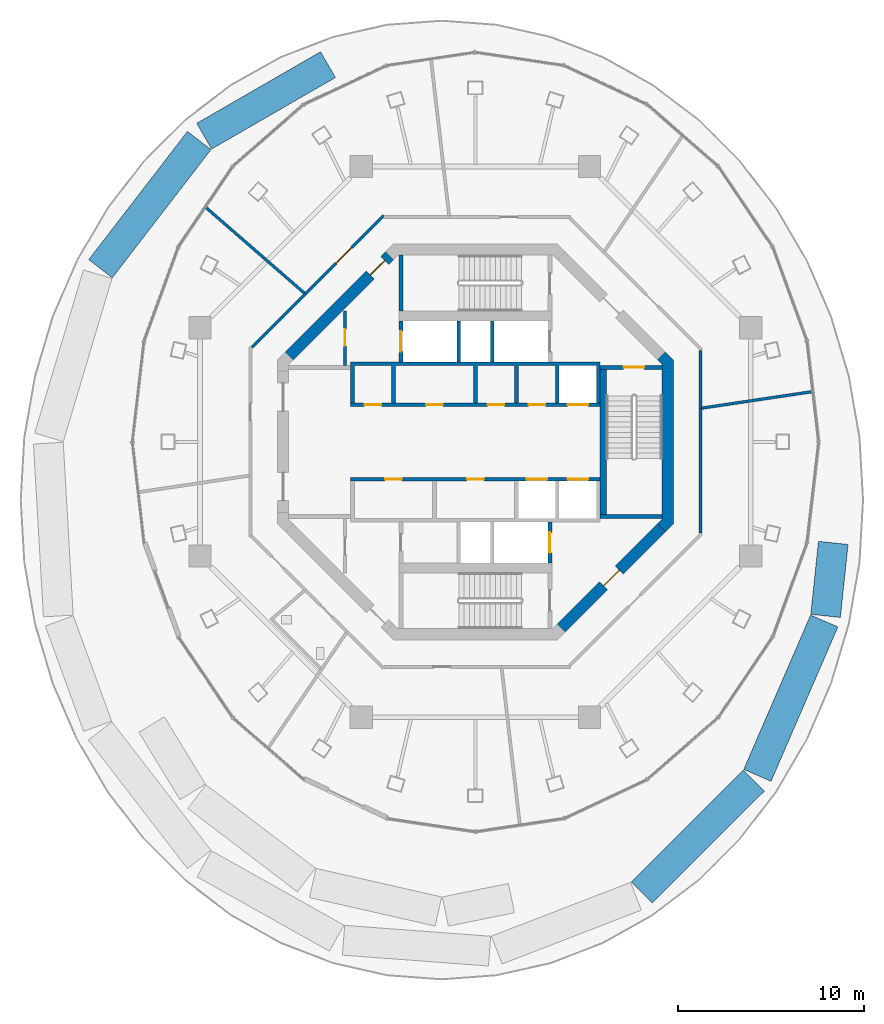
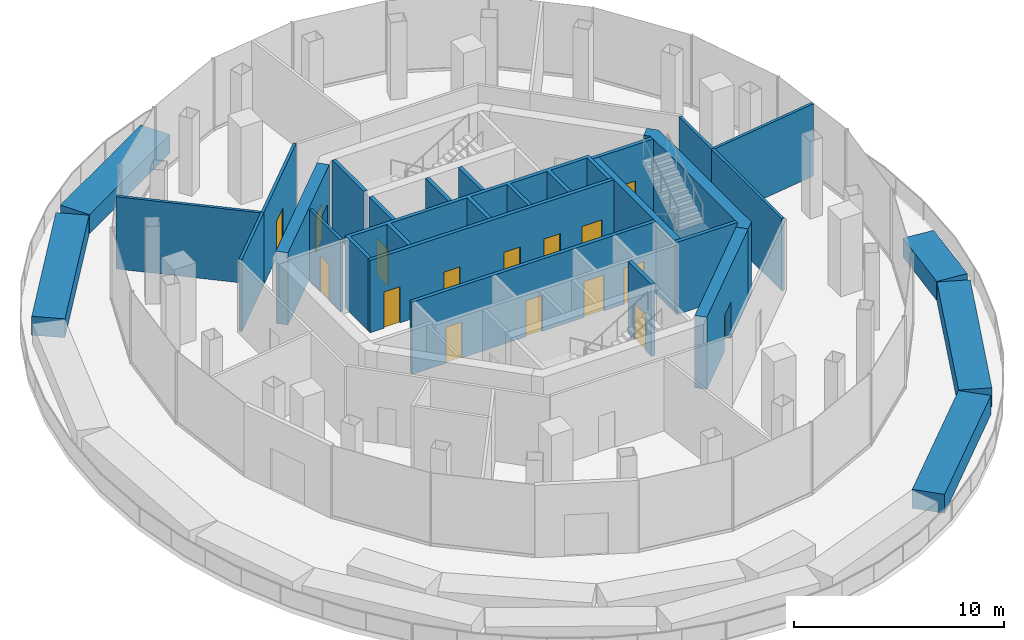
# One storey, part 8 of 12: 26 walls, 16 doors, 16 openings.
"""IFC4 building model written with IfcOpenShell, lengths in metres."""

from ifc_helpers import new_model, si_unit, direction, frame, frame_2d, origin, place, context, subcontext, project, spatial, polyline, rectangle, outline, extrude, material, layer, layer_set, type_object, element, fill, save


model = new_model("IFC4")

# Units and contexts
model_context = context("Model", 3, precision=1e-05, world=origin(), true_north=direction((0.0, 1.0)))
body_context = subcontext(model_context, "Body", "Model", "MODEL_VIEW")
ifc_project = project(units=[si_unit("LENGTHUNIT", "METRE"), si_unit("AREAUNIT", "SQUARE_METRE"), si_unit("VOLUMEUNIT", "CUBIC_METRE"), si_unit("PLANEANGLEUNIT", "RADIAN"), si_unit("MASSUNIT", "GRAM", prefix="KILO")], contexts=[model_context])

# Site, building, storey
site_placement = place(None, origin())
site = spatial("IfcSite", under=ifc_project, at=site_placement, CompositionType="ELEMENT")
building_placement = place(site_placement, origin())
building = spatial("IfcBuilding", under=site, at=building_placement, Name="Nagisa Residences", CompositionType="ELEMENT")
storey_placement = place(building_placement, frame((0.0, 0.0, 315.89990234375)))
storey = spatial("IfcBuildingStorey", under=building, at=storey_placement, Name="L78", CompositionType="ELEMENT", Elevation=315.89990234375)

# Wall, opening, door
ifc_material_1 = material(Name="Gypsum board on steel studs", Category="steel")
ifc_layer_1 = layer(ifc_material_1, 0.14990234375)
ifc_layer_set_1 = layer_set([ifc_layer_1], Name="Core partition 150")
wall_type_1 = type_object("IfcWallType", Name="Core partition 150", PredefinedType="PARTITIONING", material=ifc_layer_set_1)
wall_1_placement = place(storey_placement, frame((-7.0, 4.10009765625, 0.0), z_axis=(0.0, 0.0, 1.0), x_axis=(0.0, 1.0, 0.0)))
wall_1 = element("IfcWall", 1, at=wall_1_placement, inside=storey, type_object=wall_type_1, Name="wall:L78:NWp", PredefinedType="PARTITIONING", context=body_context, shape_type="SweptSolid", body=[
    extrude(rectangle(XDim=2.9267578125, YDim=0.14990234375, at=frame_2d((1.46337890625, 0.0))), origin(), (0.0, 0.0, 1.0), 4.2001953125),
])
opening_1_placement = place(wall_1_placement, frame((1.051025390625, 0.0, 0.0)))
opening_1 = element("IfcOpeningElement", 2, at=opening_1_placement, cuts=wall_1, Name="Opening L78-C10", PredefinedType="OPENING", context=body_context, shape_type="SweptSolid", body=[
    extrude(rectangle(XDim=0.89990234375, YDim=2.10009765625, at=frame_2d((0.449951171875, 1.050048828125))), frame((0.0, 0.0849609375, 0.0), z_axis=(0.0, -1.0, 0.0), x_axis=(1.0, 0.0, 0.0)), (0.0, 0.0, 1.0), 0.169921875),
])
ifc_material_2 = material(Name="Steel fire door", Category="steel")
door_type_1 = type_object("IfcDoorType", Name="Fire door EI30 900x2100 single swing", OperationType="NOTDEFINED", PredefinedType="DOOR", material=ifc_material_2)
door_1_placement = place(opening_1_placement, origin())
door_1 = element("IfcDoor", 3, at=door_1_placement, inside=storey, type_object=door_type_1, Name="Electrical room door L78", OperationType="SINGLE_SWING_LEFT", OverallHeight=2.10009765625, OverallWidth=0.89990234375, PredefinedType="DOOR", context=body_context, shape_type="SweptSolid", body=[
    extrude(rectangle(XDim=0.89990234375, YDim=2.10009765625, at=frame_2d((0.449951171875, 1.050048828125))), frame((0.0, 0.02490234375, 0.0), z_axis=(0.0, -1.0, 0.0), x_axis=(1.0, 0.0, 0.0)), (0.0, 0.0, 1.0), 0.050048828125),
])
fill(opening_1, door_1)

ifc_material_3 = material(Name="Concrete C60", Category="concrete")
ifc_layer_2 = layer(ifc_material_3, 0.60009765625)
ifc_layer_set_2 = layer_set([ifc_layer_2], Name="Core shear wall 600")
wall_type_2 = type_object("IfcWallType", Name="Core shear wall 600", PredefinedType="SHEAR", material=ifc_layer_set_2)
wall_2_placement = place(storey_placement, frame((-4.613037109375, 9.98828125, 0.0), z_axis=(0.0, 0.0, 1.0), x_axis=(-0.707106781187, -0.707106781187, 0.0)))
wall_2 = element("IfcWall", 4, at=wall_2_placement, inside=storey, type_object=wall_type_2, Name="wall:L78:core:flat3", PredefinedType="SHEAR", context=body_context, shape_type="SweptSolid", body=[
    extrude(rectangle(XDim=7.601806640625, YDim=0.60009765625, at=frame_2d((3.80078125, 0.0))), origin(), (0.0, 0.0, 1.0), 4.2001953125),
])
opening_2_placement = place(wall_2_placement, frame((0.350830078125, 0.0, 0.0)))
opening_2 = element("IfcOpeningElement", 5, at=opening_2_placement, cuts=wall_2, Name="Opening L78-C23", PredefinedType="OPENING", context=body_context, shape_type="SweptSolid", body=[
    extrude(rectangle(XDim=1.10009765625, YDim=2.10009765625, at=frame_2d((0.550048828125, 1.050048828125))), frame((0.0, 0.31005859375, 0.0), z_axis=(0.0, -1.0, 0.0), x_axis=(1.0, 0.0, 0.0)), (0.0, 0.0, 1.0), 0.6201171875),
])
ifc_material_4 = material(Name="Steel fire door", Category="steel")
door_type_2 = type_object("IfcDoorType", Name="Fire door EI60 1100x2100 single swing", OperationType="NOTDEFINED", PredefinedType="DOOR", material=ifc_material_4)
door_2_placement = place(opening_2_placement, origin())
door_2 = element("IfcDoor", 6, at=door_2_placement, inside=storey, type_object=door_type_2, Name="Service lobby door L78", OperationType="SINGLE_SWING_LEFT", OverallHeight=2.10009765625, OverallWidth=1.10009765625, PredefinedType="DOOR", context=body_context, shape_type="SweptSolid", body=[
    extrude(rectangle(XDim=1.10009765625, YDim=2.10009765625, at=frame_2d((0.550048828125, 1.050048828125))), frame((0.0, 0.02490234375, 0.0), z_axis=(0.0, -1.0, 0.0), x_axis=(1.0, 0.0, 0.0)), (0.0, 0.0, 1.0), 0.050048828125),
])
fill(opening_2, door_2)

wall_3_placement = place(storey_placement, frame((4.613037109375, -9.98828125, 0.0), z_axis=(0.0, 0.0, 1.0), x_axis=(0.707106781187, 0.707106781187, 0.0)))
wall_3 = element("IfcWall", 7, at=wall_3_placement, inside=storey, type_object=wall_type_2, Name="wall:L78:core:flat7", PredefinedType="SHEAR", context=body_context, shape_type="SweptSolid", body=[
    extrude(rectangle(XDim=7.601806640625, YDim=0.60009765625, at=frame_2d((3.80078125, 0.0))), origin(), (0.0, 0.0, 1.0), 4.2001953125),
])
opening_3_placement = place(wall_3_placement, frame((3.200927734375, 0.0, 0.0)))
opening_3 = element("IfcOpeningElement", 8, at=opening_3_placement, cuts=wall_3, Name="Opening L78-C20", PredefinedType="OPENING", context=body_context, shape_type="SweptSolid", body=[
    extrude(rectangle(XDim=1.199951171875, YDim=2.10009765625, at=frame_2d((0.60009765625, 1.050048828125))), frame((0.0, 0.31005859375, 0.0), z_axis=(0.0, -1.0, 0.0), x_axis=(1.0, 0.0, 0.0)), (0.0, 0.0, 1.0), 0.6201171875),
])
ifc_material_5 = material(Name="Steel fire door", Category="steel")
door_type_3 = type_object("IfcDoorType", Name="Fire door EI60 1200x2100 single swing", OperationType="NOTDEFINED", PredefinedType="DOOR", material=ifc_material_5)
door_3_placement = place(opening_3_placement, origin())
door_3 = element("IfcDoor", 9, at=door_3_placement, inside=storey, type_object=door_type_3, Name="Firefighting lobby 2 door L78", OperationType="SINGLE_SWING_LEFT", OverallHeight=2.10009765625, OverallWidth=1.199951171875, PredefinedType="DOOR", context=body_context, shape_type="SweptSolid", body=[
    extrude(rectangle(XDim=1.199951171875, YDim=2.10009765625, at=frame_2d((0.60009765625, 1.050048828125))), frame((0.0, 0.02490234375, 0.0), z_axis=(0.0, -1.0, 0.0), x_axis=(1.0, 0.0, 0.0)), (0.0, 0.0, 1.0), 0.050048828125),
])
fill(opening_3, door_3)

# Wall
wall_4_placement = place(storey_placement, origin())
element("IfcWall", 10, at=wall_4_placement, inside=storey, type_object=wall_type_2, Name="wall:L78:core:flat0", PredefinedType="SHEAR", context=body_context, shape_type="SweptSolid", body=[
    extrude(outline(polyline([(9.776123046875, -4.40087890625), (10.024658203125, -4.15234375), (10.024658203125, -3.801025390625), (10.024658203125, 4.15234375), (9.776123046875, 4.40087890625), (10.200439453125, 4.8251953125), (10.62451171875, 4.40087890625), (10.62451171875, -4.40087890625), (10.200439453125, -4.8251953125), (9.776123046875, -4.40087890625)])), origin(), (0.0, 0.0, 1.0), 4.2001953125),
])

# Wall, opening, door
ifc_material_6 = material(Name="Concrete C60", Category="concrete")
ifc_layer_3 = layer(ifc_material_6, 0.199951171875)
ifc_layer_set_3 = layer_set([ifc_layer_3], Name="Lift shaft wall 200")
wall_type_3 = type_object("IfcWallType", Name="Lift shaft wall 200", PredefinedType="SOLIDWALL", material=ifc_layer_set_3)
wall_5_placement = place(storey_placement, frame((-4.0, 4.300048828125, 0.0), z_axis=(0.0, 0.0, 1.0), x_axis=(0.0, 1.0, 0.0)))
wall_5 = element("IfcWall", 11, at=wall_5_placement, inside=storey, type_object=wall_type_3, Name="wall:L78:Nb4", PredefinedType="SOLIDWALL", context=body_context, shape_type="SweptSolid", body=[
    extrude(rectangle(XDim=2.199951171875, YDim=0.199951171875, at=frame_2d((1.10009765625, 0.0))), origin(), (0.0, 0.0, 1.0), 4.2001953125),
])
opening_4_placement = place(wall_5_placement, frame((0.550048828125, 0.0, 0.0)))
opening_4 = element("IfcOpeningElement", 12, at=opening_4_placement, cuts=wall_5, Name="Opening L78-C06", PredefinedType="OPENING", context=body_context, shape_type="SweptSolid", body=[
    extrude(rectangle(XDim=1.10009765625, YDim=2.10009765625, at=frame_2d((0.550048828125, 1.050048828125))), frame((0.0, 0.10986328125, 0.0), z_axis=(0.0, -1.0, 0.0), x_axis=(1.0, 0.0, 0.0)), (0.0, 0.0, 1.0), 0.219970703125),
])
ifc_material_7 = material(Name="Stainless steel", Category="steel")
door_type_4 = type_object("IfcDoorType", Name="Lift landing door 1100x2100", OperationType="DOUBLE_DOOR_SLIDING", PredefinedType="DOOR", material=ifc_material_7)
door_4_placement = place(opening_4_placement, origin())
door_4 = element("IfcDoor", 13, at=door_4_placement, inside=storey, type_object=door_type_4, Name="Landing door SV L78", OperationType="DOUBLE_DOOR_SLIDING", OverallHeight=2.10009765625, OverallWidth=1.10009765625, PredefinedType="DOOR", context=body_context, shape_type="SweptSolid", body=[
    extrude(rectangle(XDim=1.10009765625, YDim=2.10009765625, at=frame_2d((0.550048828125, 1.050048828125))), frame((0.0, 0.02490234375, 0.0), z_axis=(0.0, -1.0, 0.0), x_axis=(1.0, 0.0, 0.0)), (0.0, 0.0, 1.0), 0.050048828125),
])
fill(opening_4, door_4)

# Wall, openings, doors
wall_6_placement = place(storey_placement, frame((-6.699951171875, 2.0, 0.0), z_axis=(0.0, 0.0, 1.0), x_axis=(1.0, 0.0, 0.0)))
wall_6 = element("IfcWall", 14, at=wall_6_placement, inside=storey, type_object=wall_type_3, Name="wall:L78:Nfront", PredefinedType="SOLIDWALL", context=body_context, shape_type="SweptSolid", body=[
    extrude(rectangle(XDim=13.39990234375, YDim=0.199951171875, at=frame_2d((6.699951171875, 0.0))), origin(), (0.0, 0.0, 1.0), 4.2001953125),
])
opening_5_placement = place(wall_6_placement, frame((11.64990234375, 0.0, 0.0)))
opening_5 = element("IfcOpeningElement", 15, at=opening_5_placement, cuts=wall_6, Name="Opening L78-C01", PredefinedType="OPENING", context=body_context, shape_type="SweptSolid", body=[
    extrude(rectangle(XDim=1.10009765625, YDim=2.10009765625, at=frame_2d((0.550048828125, 1.050048828125))), frame((0.0, 0.10986328125, 0.0), z_axis=(0.0, -1.0, 0.0), x_axis=(1.0, 0.0, 0.0)), (0.0, 0.0, 1.0), 0.219970703125),
])
opening_6_placement = place(wall_6_placement, frame((0.75, 0.0, 0.0)))
opening_6 = element("IfcOpeningElement", 16, at=opening_6_placement, cuts=wall_6, Name="Opening L78-C13", PredefinedType="OPENING", context=body_context, shape_type="SweptSolid", body=[
    extrude(rectangle(XDim=0.89990234375, YDim=2.10009765625, at=frame_2d((0.449951171875, 1.050048828125))), frame((0.0, 0.10986328125, 0.0), z_axis=(0.0, -1.0, 0.0), x_axis=(1.0, 0.0, 0.0)), (0.0, 0.0, 1.0), 0.219970703125),
])
opening_7_placement = place(wall_6_placement, frame((4.050048828125, 0.0, 0.0)))
opening_7 = element("IfcOpeningElement", 17, at=opening_7_placement, cuts=wall_6, Name="Opening L78-C14", PredefinedType="OPENING", context=body_context, shape_type="SweptSolid", body=[
    extrude(rectangle(XDim=0.89990234375, YDim=2.10009765625, at=frame_2d((0.449951171875, 1.050048828125))), frame((0.0, 0.10986328125, 0.0), z_axis=(0.0, -1.0, 0.0), x_axis=(1.0, 0.0, 0.0)), (0.0, 0.0, 1.0), 0.219970703125),
])
opening_8_placement = place(wall_6_placement, frame((7.35009765625, 0.0, 0.0)))
opening_8 = element("IfcOpeningElement", 18, at=opening_8_placement, cuts=wall_6, Name="Opening L78-C15", PredefinedType="OPENING", context=body_context, shape_type="SweptSolid", body=[
    extrude(rectangle(XDim=0.89990234375, YDim=2.10009765625, at=frame_2d((0.449951171875, 1.050048828125))), frame((0.0, 0.10986328125, 0.0), z_axis=(0.0, -1.0, 0.0), x_axis=(1.0, 0.0, 0.0)), (0.0, 0.0, 1.0), 0.219970703125),
])
opening_9_placement = place(wall_6_placement, frame((9.550048828125, 0.0, 0.0)))
opening_9 = element("IfcOpeningElement", 19, at=opening_9_placement, cuts=wall_6, Name="Opening L78-C16", PredefinedType="OPENING", context=body_context, shape_type="SweptSolid", body=[
    extrude(rectangle(XDim=0.89990234375, YDim=2.10009765625, at=frame_2d((0.449951171875, 1.050048828125))), frame((0.0, 0.10986328125, 0.0), z_axis=(0.0, -1.0, 0.0), x_axis=(1.0, 0.0, 0.0)), (0.0, 0.0, 1.0), 0.219970703125),
])
door_5_placement = place(opening_6_placement, origin())
door_5 = element("IfcDoor", 20, at=door_5_placement, inside=storey, type_object=door_type_1, Name="Controls room door L78", OperationType="SINGLE_SWING_RIGHT", OverallHeight=2.10009765625, OverallWidth=0.89990234375, PredefinedType="DOOR", context=body_context, shape_type="SweptSolid", body=[
    extrude(rectangle(XDim=0.89990234375, YDim=2.10009765625, at=frame_2d((0.449951171875, 1.050048828125))), frame((0.0, 0.02490234375, 0.0), z_axis=(0.0, -1.0, 0.0), x_axis=(1.0, 0.0, 0.0)), (0.0, 0.0, 1.0), 0.050048828125),
])
fill(opening_6, door_5)
door_6_placement = place(opening_7_placement, origin())
door_6 = element("IfcDoor", 21, at=door_6_placement, inside=storey, type_object=door_type_1, Name="Spares store door L78", OperationType="SINGLE_SWING_RIGHT", OverallHeight=2.10009765625, OverallWidth=0.89990234375, PredefinedType="DOOR", context=body_context, shape_type="SweptSolid", body=[
    extrude(rectangle(XDim=0.89990234375, YDim=2.10009765625, at=frame_2d((0.449951171875, 1.050048828125))), frame((0.0, 0.02490234375, 0.0), z_axis=(0.0, -1.0, 0.0), x_axis=(1.0, 0.0, 0.0)), (0.0, 0.0, 1.0), 0.050048828125),
])
fill(opening_7, door_6)
door_7_placement = place(opening_8_placement, origin())
door_7 = element("IfcDoor", 22, at=door_7_placement, inside=storey, type_object=door_type_1, Name="Controls room door L78", OperationType="SINGLE_SWING_RIGHT", OverallHeight=2.10009765625, OverallWidth=0.89990234375, PredefinedType="DOOR", context=body_context, shape_type="SweptSolid", body=[
    extrude(rectangle(XDim=0.89990234375, YDim=2.10009765625, at=frame_2d((0.449951171875, 1.050048828125))), frame((0.0, 0.02490234375, 0.0), z_axis=(0.0, -1.0, 0.0), x_axis=(1.0, 0.0, 0.0)), (0.0, 0.0, 1.0), 0.050048828125),
])
fill(opening_8, door_7)
door_8_placement = place(opening_9_placement, origin())
door_8 = element("IfcDoor", 23, at=door_8_placement, inside=storey, type_object=door_type_1, Name="Spares store door L78", OperationType="SINGLE_SWING_LEFT", OverallHeight=2.10009765625, OverallWidth=0.89990234375, PredefinedType="DOOR", context=body_context, shape_type="SweptSolid", body=[
    extrude(rectangle(XDim=0.89990234375, YDim=2.10009765625, at=frame_2d((0.449951171875, 1.050048828125))), frame((0.0, 0.02490234375, 0.0), z_axis=(0.0, -1.0, 0.0), x_axis=(1.0, 0.0, 0.0)), (0.0, 0.0, 1.0), 0.050048828125),
])
fill(opening_9, door_8)
door_9_placement = place(opening_5_placement, origin())
door_9 = element("IfcDoor", 24, at=door_9_placement, inside=storey, type_object=door_type_4, Name="Landing door C1 L78", OperationType="DOUBLE_DOOR_SLIDING", OverallHeight=2.10009765625, OverallWidth=1.10009765625, PredefinedType="DOOR", context=body_context, shape_type="SweptSolid", body=[
    extrude(rectangle(XDim=1.10009765625, YDim=2.10009765625, at=frame_2d((0.550048828125, 1.050048828125))), frame((0.0, 0.02490234375, 0.0), z_axis=(0.0, -1.0, 0.0), x_axis=(1.0, 0.0, 0.0)), (0.0, 0.0, 1.0), 0.050048828125),
])
fill(opening_5, door_9)

# Wall, opening, door
wall_7_placement = place(storey_placement, frame((4.0, -6.5, 0.0), z_axis=(0.0, 0.0, 1.0), x_axis=(0.0, 1.0, 0.0)))
wall_7 = element("IfcWall", 25, at=wall_7_placement, inside=storey, type_object=wall_type_3, Name="wall:L78:Sb3", PredefinedType="SOLIDWALL", context=body_context, shape_type="SweptSolid", body=[
    extrude(rectangle(XDim=2.199951171875, YDim=0.199951171875, at=frame_2d((1.10009765625, 0.0))), origin(), (0.0, 0.0, 1.0), 4.2001953125),
])
opening_10_placement = place(wall_7_placement, frame((0.550048828125, 0.0, 0.0)))
opening_10 = element("IfcOpeningElement", 26, at=opening_10_placement, cuts=wall_7, Name="Opening L78-C05", PredefinedType="OPENING", context=body_context, shape_type="SweptSolid", body=[
    extrude(rectangle(XDim=1.10009765625, YDim=2.10009765625, at=frame_2d((0.550048828125, 1.050048828125))), frame((0.0, 0.10986328125, 0.0), z_axis=(0.0, -1.0, 0.0), x_axis=(1.0, 0.0, 0.0)), (0.0, 0.0, 1.0), 0.219970703125),
])
door_10_placement = place(opening_10_placement, origin())
door_10 = element("IfcDoor", 27, at=door_10_placement, inside=storey, type_object=door_type_4, Name="Landing door FL2 L78", OperationType="DOUBLE_DOOR_SLIDING", OverallHeight=2.10009765625, OverallWidth=1.10009765625, PredefinedType="DOOR", context=body_context, shape_type="SweptSolid", body=[
    extrude(rectangle(XDim=1.10009765625, YDim=2.10009765625, at=frame_2d((0.550048828125, 1.050048828125))), frame((0.0, 0.02490234375, 0.0), z_axis=(0.0, -1.0, 0.0), x_axis=(1.0, 0.0, 0.0)), (0.0, 0.0, 1.0), 0.050048828125),
])
fill(opening_10, door_10)

# Wall, openings, doors
wall_8_placement = place(storey_placement, frame((-6.699951171875, -2.0, 0.0), z_axis=(0.0, 0.0, 1.0), x_axis=(1.0, 0.0, 0.0)))
wall_8 = element("IfcWall", 28, at=wall_8_placement, inside=storey, type_object=wall_type_3, Name="wall:L78:Sfront", PredefinedType="SOLIDWALL", context=body_context, shape_type="SweptSolid", body=[
    extrude(rectangle(XDim=13.39990234375, YDim=0.199951171875, at=frame_2d((6.699951171875, 0.0))), origin(), (0.0, 0.0, 1.0), 4.2001953125),
])
opening_11_placement = place(wall_8_placement, frame((9.449951171875, 0.0, 0.0)))
opening_11 = element("IfcOpeningElement", 29, at=opening_11_placement, cuts=wall_8, Name="Opening L78-C02", PredefinedType="OPENING", context=body_context, shape_type="SweptSolid", body=[
    extrude(rectangle(XDim=1.10009765625, YDim=2.10009765625, at=frame_2d((0.550048828125, 1.050048828125))), frame((0.0, 0.10986328125, 0.0), z_axis=(0.0, -1.0, 0.0), x_axis=(1.0, 0.0, 0.0)), (0.0, 0.0, 1.0), 0.219970703125),
])
opening_12_placement = place(wall_8_placement, frame((11.64990234375, 0.0, 0.0)))
opening_12 = element("IfcOpeningElement", 30, at=opening_12_placement, cuts=wall_8, Name="Opening L78-C03", PredefinedType="OPENING", context=body_context, shape_type="SweptSolid", body=[
    extrude(rectangle(XDim=1.10009765625, YDim=2.10009765625, at=frame_2d((0.550048828125, 1.050048828125))), frame((0.0, 0.10986328125, 0.0), z_axis=(0.0, -1.0, 0.0), x_axis=(1.0, 0.0, 0.0)), (0.0, 0.0, 1.0), 0.219970703125),
])
opening_13_placement = place(wall_8_placement, frame((1.85009765625, 0.0, 0.0)))
opening_13 = element("IfcOpeningElement", 31, at=opening_13_placement, cuts=wall_8, Name="Opening L78-C17", PredefinedType="OPENING", context=body_context, shape_type="SweptSolid", body=[
    extrude(rectangle(XDim=0.89990234375, YDim=2.10009765625, at=frame_2d((0.449951171875, 1.050048828125))), frame((0.0, 0.10986328125, 0.0), z_axis=(0.0, -1.0, 0.0), x_axis=(1.0, 0.0, 0.0)), (0.0, 0.0, 1.0), 0.219970703125),
])
opening_14_placement = place(wall_8_placement, frame((6.25, 0.0, 0.0)))
opening_14 = element("IfcOpeningElement", 32, at=opening_14_placement, cuts=wall_8, Name="Opening L78-C18", PredefinedType="OPENING", context=body_context, shape_type="SweptSolid", body=[
    extrude(rectangle(XDim=0.89990234375, YDim=2.10009765625, at=frame_2d((0.449951171875, 1.050048828125))), frame((0.0, 0.10986328125, 0.0), z_axis=(0.0, -1.0, 0.0), x_axis=(1.0, 0.0, 0.0)), (0.0, 0.0, 1.0), 0.219970703125),
])
door_11_placement = place(opening_13_placement, frame((0.89990234375, 0.0, 0.0), x_axis=(-1.0, 0.0, 0.0)))
door_11 = element("IfcDoor", 33, at=door_11_placement, inside=storey, type_object=door_type_1, Name="Controls room door L78", OperationType="SINGLE_SWING_LEFT", OverallHeight=2.10009765625, OverallWidth=0.89990234375, PredefinedType="DOOR", context=body_context, shape_type="SweptSolid", body=[
    extrude(rectangle(XDim=0.89990234375, YDim=2.10009765625, at=frame_2d((0.449951171875, 1.050048828125))), frame((0.0, 0.02490234375, 0.0), z_axis=(0.0, -1.0, 0.0), x_axis=(1.0, 0.0, 0.0)), (0.0, 0.0, 1.0), 0.050048828125),
])
fill(opening_13, door_11)
door_12_placement = place(opening_14_placement, frame((0.89990234375, 0.0, 0.0), x_axis=(-1.0, 0.0, 0.0)))
door_12 = element("IfcDoor", 34, at=door_12_placement, inside=storey, type_object=door_type_1, Name="Spares store door L78", OperationType="SINGLE_SWING_LEFT", OverallHeight=2.10009765625, OverallWidth=0.89990234375, PredefinedType="DOOR", context=body_context, shape_type="SweptSolid", body=[
    extrude(rectangle(XDim=0.89990234375, YDim=2.10009765625, at=frame_2d((0.449951171875, 1.050048828125))), frame((0.0, 0.02490234375, 0.0), z_axis=(0.0, -1.0, 0.0), x_axis=(1.0, 0.0, 0.0)), (0.0, 0.0, 1.0), 0.050048828125),
])
fill(opening_14, door_12)
door_13_placement = place(opening_11_placement, origin())
door_13 = element("IfcDoor", 35, at=door_13_placement, inside=storey, type_object=door_type_4, Name="Landing door C2 L78", OperationType="DOUBLE_DOOR_SLIDING", OverallHeight=2.10009765625, OverallWidth=1.10009765625, PredefinedType="DOOR", context=body_context, shape_type="SweptSolid", body=[
    extrude(rectangle(XDim=1.10009765625, YDim=2.10009765625, at=frame_2d((0.550048828125, 1.050048828125))), frame((0.0, 0.02490234375, 0.0), z_axis=(0.0, -1.0, 0.0), x_axis=(1.0, 0.0, 0.0)), (0.0, 0.0, 1.0), 0.050048828125),
])
fill(opening_11, door_13)
door_14_placement = place(opening_12_placement, origin())
door_14 = element("IfcDoor", 36, at=door_14_placement, inside=storey, type_object=door_type_4, Name="Landing door C3 L78", OperationType="DOUBLE_DOOR_SLIDING", OverallHeight=2.10009765625, OverallWidth=1.10009765625, PredefinedType="DOOR", context=body_context, shape_type="SweptSolid", body=[
    extrude(rectangle(XDim=1.10009765625, YDim=2.10009765625, at=frame_2d((0.550048828125, 1.050048828125))), frame((0.0, 0.02490234375, 0.0), z_axis=(0.0, -1.0, 0.0), x_axis=(1.0, 0.0, 0.0)), (0.0, 0.0, 1.0), 0.050048828125),
])
fill(opening_12, door_14)

# Walls
for number, where, z_axis, x_axis, name in (
    (37, (-0.89990234375, 4.300048828125, 0.0), (0.0, 0.0, 1.0), (0.0, 1.0, 0.0), "wall:L78:Nb1"),
    (38, (0.89990234375, 4.300048828125, 0.0), (0.0, 0.0, 1.0), (0.0, 1.0, 0.0), "wall:L78:Nb2"),
):
    element("IfcWall", number, at=place(storey_placement, frame(where, z_axis=z_axis, x_axis=x_axis)), inside=storey, type_object=wall_type_3, Name=name, PredefinedType="SOLIDWALL", context=body_context, shape_type="SweptSolid", body=[
        extrude(rectangle(XDim=2.199951171875, YDim=0.199951171875, at=frame_2d((1.10009765625, 0.0))), origin(), (0.0, 0.0, 1.0), 4.2001953125),
    ])
wall_9_placement = place(storey_placement, origin())
element("IfcWall", 39, at=wall_9_placement, inside=storey, type_object=wall_type_3, Name="wall:L78:Nback", PredefinedType="SOLIDWALL", context=body_context, shape_type="SweptSolid", body=[
    extrude(outline(polyline([(-6.699951171875, 4.300048828125), (6.699951171875, 4.300048828125), (6.699951171875, 2.10009765625), (6.5, 2.10009765625), (6.5, 4.10009765625), (4.5, 4.10009765625), (4.5, 2.10009765625), (4.300048828125, 2.10009765625), (4.300048828125, 4.10009765625), (2.300048828125, 4.10009765625), (2.300048828125, 2.10009765625), (2.10009765625, 2.10009765625), (2.10009765625, 4.10009765625), (0.10009765625, 4.10009765625), (0.10009765625, 2.10009765625), (-0.10009765625, 2.10009765625), (-0.10009765625, 4.10009765625), (-4.300048828125, 4.10009765625), (-4.300048828125, 2.10009765625), (-4.5, 2.10009765625), (-4.5, 4.10009765625), (-6.5, 4.10009765625), (-6.5, 2.10009765625), (-6.699951171875, 2.10009765625), (-6.699951171875, 4.300048828125)])), origin(), (0.0, 0.0, 1.0), 4.2001953125),
])
ifc_material_8 = material(Name="Precast concrete C30/37", Category="concrete")
ifc_layer_4 = layer(ifc_material_8, 1.60009765625)
ifc_layer_set_4 = layer_set([ifc_layer_4], Name="PLANTER")
wall_type_4 = type_object("IfcWallType", Name="PLANTER", PredefinedType="SOLIDWALL", material=ifc_layer_set_4)
wall_10_placement = place(storey_placement, frame((-20.12548828125, 9.2958984375, 0.0), z_axis=(0.0, 0.0, 1.0), x_axis=(0.61024421244, 0.792213355848, 0.0)))
element("IfcWall", 40, at=wall_10_placement, inside=storey, type_object=wall_type_4, Name="planter:L78:garden004", PredefinedType="SOLIDWALL", context=body_context, shape_type="SweptSolid", body=[
    extrude(rectangle(XDim=8.68994140625, YDim=1.60009765625, at=frame_2d((4.344970703125, 0.0))), origin(), (0.0, 0.0, 1.0), 1.10009765625),
])
wall_11_placement = place(storey_placement, frame((-14.5595703125, 16.410400390625, 0.0), z_axis=(0.0, 0.0, 1.0), x_axis=(0.86581211196, 0.500369250438, 0.0)))
element("IfcWall", 41, at=wall_11_placement, inside=storey, type_object=wall_type_4, Name="planter:L78:garden006", PredefinedType="SOLIDWALL", context=body_context, shape_type="SweptSolid", body=[
    extrude(rectangle(XDim=7.677490234375, YDim=1.60009765625, at=frame_2d((3.8388671875, 0.0))), origin(), (0.0, 0.0, 1.0), 1.10009765625),
])
wall_12_placement = place(storey_placement, frame((14.94384765625, -18.180419921875, 0.0), z_axis=(0.0, 0.0, 1.0), x_axis=(-0.707652288336, -0.706560852873, 0.0)))
element("IfcWall", 42, at=wall_12_placement, inside=storey, type_object=wall_type_4, Name="planter:L78:garden010", PredefinedType="SOLIDWALL", context=body_context, shape_type="SweptSolid", body=[
    extrude(rectangle(XDim=8.500244140625, YDim=1.60009765625, at=frame_2d((4.25, 0.0))), origin(), (0.0, 0.0, 1.0), 1.10009765625),
])
wall_13_placement = place(storey_placement, frame((18.72509765625, -9.61181640625, 0.0), z_axis=(0.0, 0.0, 1.0), x_axis=(-0.397498203631, -0.917602952322, 0.0)))
element("IfcWall", 43, at=wall_13_placement, inside=storey, type_object=wall_type_4, Name="planter:L78:garden011", PredefinedType="SOLIDWALL", context=body_context, shape_type="SweptSolid", body=[
    extrude(rectangle(XDim=9.0322265625, YDim=1.60009765625, at=frame_2d((4.51611328125, 0.0))), origin(), (0.0, 0.0, 1.0), 1.10009765625),
])
wall_14_placement = place(storey_placement, frame((19.209228515625, -5.41845703125, 0.0), z_axis=(0.0, 0.0, 1.0), x_axis=(-0.104658995122, -0.994508167257, 0.0)))
element("IfcWall", 44, at=wall_14_placement, inside=storey, type_object=wall_type_4, Name="planter:L78:garden012", PredefinedType="SOLIDWALL", context=body_context, shape_type="SweptSolid", body=[
    extrude(rectangle(XDim=3.9423828125, YDim=1.60009765625, at=frame_2d((1.97119140625, 0.0))), origin(), (0.0, 0.0, 1.0), 1.10009765625),
])
ifc_material_9 = material(Name="Gypsum board on steel studs", Category="steel")
ifc_layer_5 = layer(ifc_material_9, 0.14990234375)
ifc_layer_set_5 = layer_set([ifc_layer_5], Name="Room partition EI60 150")
wall_type_5 = type_object("IfcWallType", Name="Room partition EI60 150", PredefinedType="PARTITIONING", material=ifc_layer_set_5)
wall_15_placement = place(storey_placement, frame((-12.0, 5.076904296875, 0.0), z_axis=(0.0, 0.0, 1.0), x_axis=(0.707197078955, 0.707016471886, 0.0)))
element("IfcWall", 45, at=wall_15_placement, inside=storey, type_object=wall_type_5, Name="wall:L78:am003", PredefinedType="PARTITIONING", context=body_context, shape_type="SweptSolid", body=[
    extrude(rectangle(XDim=4.055419921875, YDim=0.14990234375, at=frame_2d((2.02783203125, 0.0))), origin(), (0.0, 0.0, 1.0), 4.2001953125),
])
wall_16_placement = place(storey_placement, frame((-9.188720703125, 7.993408203125, 0.0), z_axis=(0.0, 0.0, 1.0), x_axis=(-0.754481157007, 0.656321707489, 0.0)))
element("IfcWall", 46, at=wall_16_placement, inside=storey, type_object=wall_type_5, Name="wall:L78:am006", PredefinedType="PARTITIONING", context=body_context, shape_type="SweptSolid", body=[
    extrude(rectangle(XDim=7.016357421875, YDim=0.14990234375, at=frame_2d((3.50830078125, 0.0))), origin(), (0.0, 0.0, 1.0), 4.2001953125),
])

# Wall, opening, door
wall_17_placement = place(storey_placement, frame((-9.132080078125, 7.944091796875, 0.0), z_axis=(0.0, 0.0, 1.0), x_axis=(0.707127303506, 0.707086258271, 0.0)))
wall_17 = element("IfcWall", 47, at=wall_17_placement, inside=storey, type_object=wall_type_5, Name="wall:L78:am007", PredefinedType="PARTITIONING", context=body_context, shape_type="SweptSolid", body=[
    extrude(rectangle(XDim=5.947998046875, YDim=0.14990234375, at=frame_2d((2.97412109375, 0.0))), origin(), (0.0, 0.0, 1.0), 4.2001953125),
])
opening_15_placement = place(wall_17_placement, frame((2.321044921875, 0.0, 0.0)))
opening_15 = element("IfcOpeningElement", 48, at=opening_15_placement, cuts=wall_17, Name="Opening L78-A03", PredefinedType="OPENING", context=body_context, shape_type="SweptSolid", body=[
    extrude(rectangle(XDim=1.199951171875, YDim=2.10009765625, at=frame_2d((0.60009765625, 1.050048828125))), frame((0.0, 0.0849609375, 0.0), z_axis=(0.0, -1.0, 0.0), x_axis=(1.0, 0.0, 0.0)), (0.0, 0.0, 1.0), 0.169921875),
])
ifc_material_10 = material(Name="Steel fire door", Category="steel")
door_type_5 = type_object("IfcDoorType", Name="Fire door EI30 1200x2100 single swing", OperationType="NOTDEFINED", PredefinedType="DOOR", material=ifc_material_10)
door_15_placement = place(opening_15_placement, frame((1.199951171875, 0.0, 0.0), x_axis=(-1.0, 0.0, 0.0)))
door_15 = element("IfcDoor", 49, at=door_15_placement, inside=storey, type_object=door_type_5, Name="Private lounge 3 door", OperationType="SINGLE_SWING_RIGHT", OverallHeight=2.10009765625, OverallWidth=1.199951171875, PredefinedType="DOOR", context=body_context, shape_type="SweptSolid", body=[
    extrude(rectangle(XDim=1.199951171875, YDim=2.10009765625, at=frame_2d((0.60009765625, 1.050048828125))), frame((0.0, 0.02490234375, 0.0), z_axis=(0.0, -1.0, 0.0), x_axis=(1.0, 0.0, 0.0)), (0.0, 0.0, 1.0), 0.050048828125),
])
fill(opening_15, door_15)

# Walls
wall_18_placement = place(storey_placement, frame((12.074951171875, 1.801025390625, 0.0), z_axis=(0.0, 0.0, 1.0), x_axis=(0.0, -1.0, 0.0)))
element("IfcWall", 50, at=wall_18_placement, inside=storey, type_object=wall_type_5, Name="wall:L78:am023", PredefinedType="PARTITIONING", context=body_context, shape_type="SweptSolid", body=[
    extrude(rectangle(XDim=6.696044921875, YDim=0.14990234375, at=frame_2d((3.34814453125, 0.0))), origin(), (0.0, 0.0, 1.0), 4.2001953125),
])
wall_19_placement = place(storey_placement, frame((12.074951171875, 4.89599609375, 0.0), z_axis=(0.0, 0.0, 1.0), x_axis=(0.0, -1.0, 0.0)))
element("IfcWall", 51, at=wall_19_placement, inside=storey, type_object=wall_type_5, Name="wall:L78:am024", PredefinedType="PARTITIONING", context=body_context, shape_type="SweptSolid", body=[
    extrude(rectangle(XDim=3.094970703125, YDim=0.14990234375, at=frame_2d((1.54736328125, 0.0))), origin(), (0.0, 0.0, 1.0), 4.2001953125),
])
wall_20_placement = place(storey_placement, frame((18.08642578125, 2.698486328125, 0.0), z_axis=(0.0, 0.0, 1.0), x_axis=(-0.989039934914, -0.147648254801, 0.0)))
element("IfcWall", 52, at=wall_20_placement, inside=storey, type_object=wall_type_5, Name="wall:L78:am025", PredefinedType="PARTITIONING", context=body_context, shape_type="SweptSolid", body=[
    extrude(rectangle(XDim=6.002197265625, YDim=0.14990234375, at=frame_2d((3.0009765625, 0.0))), origin(), (0.0, 0.0, 1.0), 4.2001953125),
])

# Wall, opening, door
ifc_material_11 = material(Name="Concrete C60", Category="concrete")
ifc_layer_6 = layer(ifc_material_11, 0.199951171875)
ifc_layer_set_6 = layer_set([ifc_layer_6], Name="Stair enclosure wall 200")
wall_type_6 = type_object("IfcWallType", Name="Stair enclosure wall 200", PredefinedType="SOLIDWALL", material=ifc_layer_set_6)
wall_21_placement = place(storey_placement, frame((6.699951171875, 4.0, 0.0), z_axis=(0.0, 0.0, 1.0), x_axis=(1.0, 0.0, 0.0)))
wall_21 = element("IfcWall", 53, at=wall_21_placement, inside=storey, type_object=wall_type_6, Name="wall:L78:SE_n", PredefinedType="SOLIDWALL", context=body_context, shape_type="SweptSolid", body=[
    extrude(rectangle(XDim=3.32470703125, YDim=0.199951171875, at=frame_2d((1.662353515625, 0.0))), origin(), (0.0, 0.0, 1.0), 4.2001953125),
])
opening_16_placement = place(wall_21_placement, frame((1.25, 0.0, 0.0)))
opening_16 = element("IfcOpeningElement", 54, at=opening_16_placement, cuts=wall_21, Name="Opening L78-C07", PredefinedType="OPENING", context=body_context, shape_type="SweptSolid", body=[
    extrude(rectangle(XDim=1.10009765625, YDim=2.10009765625, at=frame_2d((0.550048828125, 1.050048828125))), frame((0.0, 0.10986328125, 0.0), z_axis=(0.0, -1.0, 0.0), x_axis=(1.0, 0.0, 0.0)), (0.0, 0.0, 1.0), 0.219970703125),
])
ifc_material_12 = material(Name="Steel fire door", Category="steel")
door_type_6 = type_object("IfcDoorType", Name="Fire door EI90 1100x2100 single swing", OperationType="NOTDEFINED", PredefinedType="DOOR", material=ifc_material_12)
door_16_placement = place(opening_16_placement, frame((1.10009765625, 0.0, 0.0), x_axis=(-1.0, 0.0, 0.0)))
door_16 = element("IfcDoor", 55, at=door_16_placement, inside=storey, type_object=door_type_6, Name="Stair door ST-E L78", OperationType="SINGLE_SWING_LEFT", OverallHeight=2.10009765625, OverallWidth=1.10009765625, PredefinedType="DOOR", context=body_context, shape_type="SweptSolid", body=[
    extrude(rectangle(XDim=1.10009765625, YDim=2.10009765625, at=frame_2d((0.550048828125, 1.050048828125))), frame((0.0, 0.02490234375, 0.0), z_axis=(0.0, -1.0, 0.0), x_axis=(1.0, 0.0, 0.0)), (0.0, 0.0, 1.0), 0.050048828125),
])
fill(opening_16, door_16)

# Walls
wall_22_placement = place(storey_placement, origin())
element("IfcWall", 56, at=wall_22_placement, inside=storey, type_object=wall_type_6, Name="wall:L78:SN_w", PredefinedType="SOLIDWALL", context=body_context, shape_type="SweptSolid", body=[
    extrude(outline(polyline([(-3.89990234375, 7.024658203125), (-4.10009765625, 7.024658203125), (-4.10009765625, 10.024658203125), (-3.89990234375, 10.024658203125), (-3.89990234375, 7.024658203125)])), origin(), (0.0, 0.0, 1.0), 4.2001953125),
])
wall_23_placement = place(storey_placement, origin())
element("IfcWall", 57, at=wall_23_placement, inside=storey, type_object=wall_type_6, Name="wall:L78:SE_w", PredefinedType="SOLIDWALL", context=body_context, shape_type="SweptSolid", body=[
    extrude(outline(polyline([(7.024658203125, -3.89990234375), (6.699951171875, -3.89990234375), (6.699951171875, 3.89990234375), (7.024658203125, 3.89990234375), (7.024658203125, -3.89990234375)])), origin(), (0.0, 0.0, 1.0), 4.2001953125),
])
wall_24_placement = place(storey_placement, origin())
element("IfcWall", 58, at=wall_24_placement, inside=storey, type_object=wall_type_6, Name="wall:L78:SE_s", PredefinedType="SOLIDWALL", context=body_context, shape_type="SweptSolid", body=[
    extrude(outline(polyline([(10.024658203125, -4.10009765625), (6.699951171875, -4.10009765625), (6.699951171875, -3.89990234375), (10.024658203125, -3.89990234375), (10.024658203125, -4.10009765625)])), origin(), (0.0, 0.0, 1.0), 4.2001953125),
])

save(model, "model.ifc")
